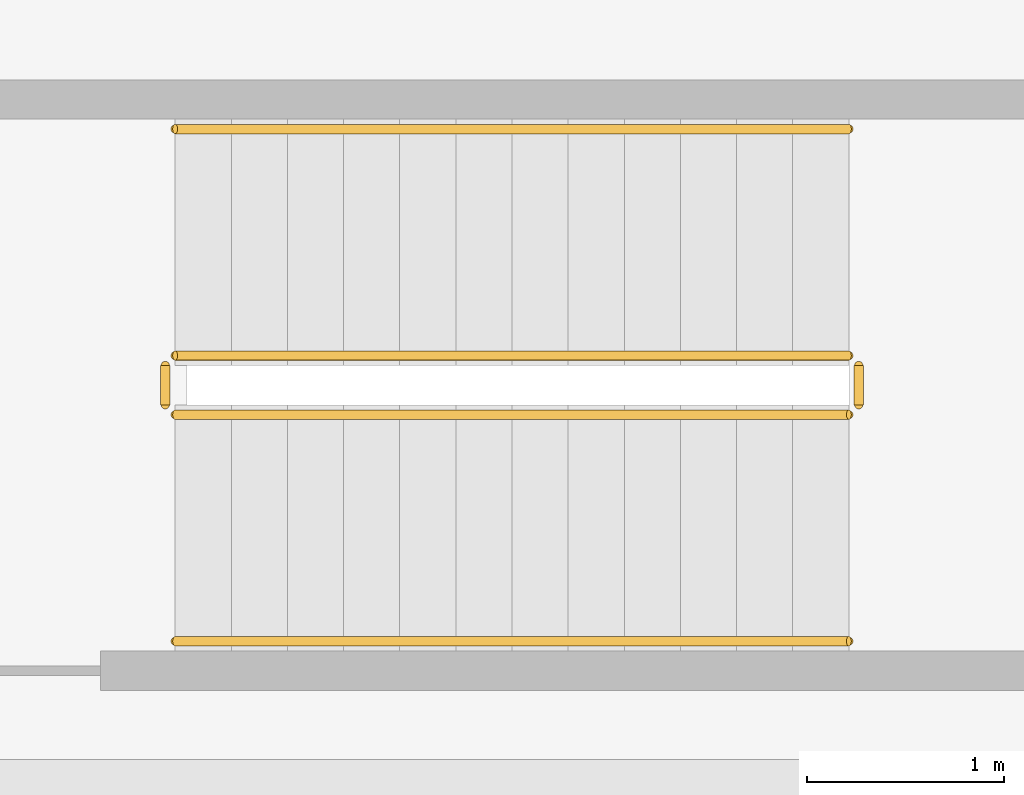
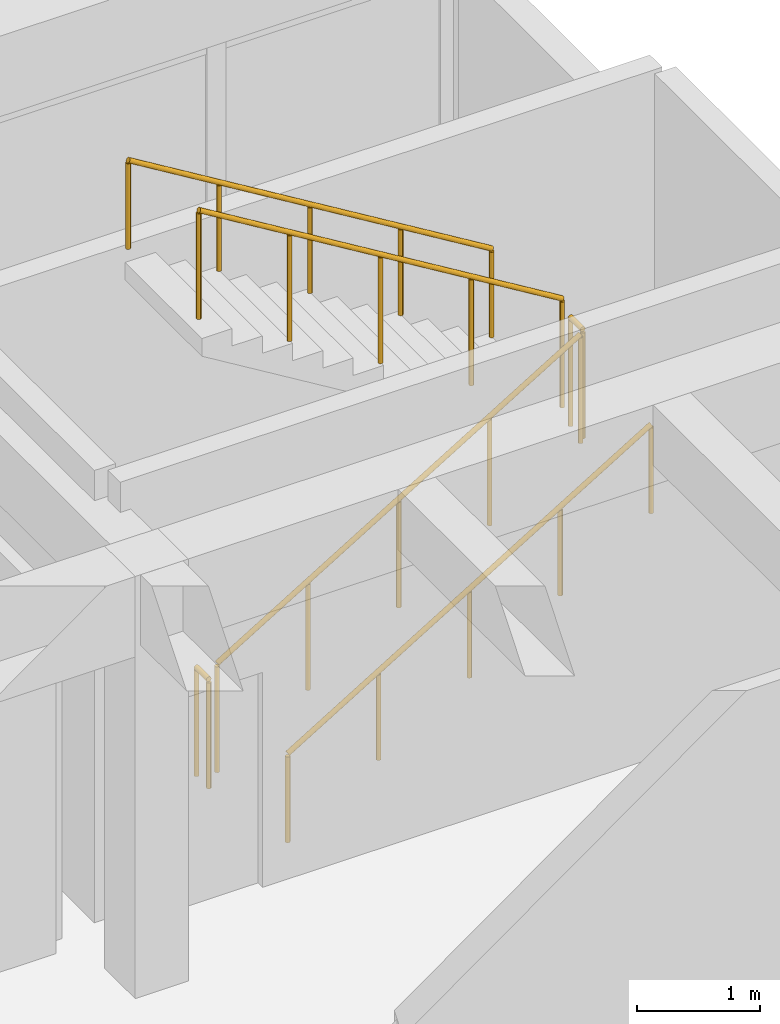
# One storey, part 153 of 153: 6 railings.
"""IFC4 building model written with IfcOpenShell, lengths in metres."""

from ifc_helpers import new_model, si_unit, direction, frame, origin, origin_2d, place, context, subcontext, project, spatial, circle, extrude, material, type_object, element, save


model = new_model("IFC4")

# Units and contexts
model_context = context("Model", 3, precision=1e-05, world=origin(), true_north=direction((0.0, 1.0)))
body_context = subcontext(model_context, "Body", "Model", "MODEL_VIEW")
ifc_project = project(units=[si_unit("LENGTHUNIT", "METRE"), si_unit("AREAUNIT", "SQUARE_METRE"), si_unit("VOLUMEUNIT", "CUBIC_METRE"), si_unit("PLANEANGLEUNIT", "RADIAN"), si_unit("MASSUNIT", "GRAM", prefix="KILO")], contexts=[model_context])

# Site, building, storey
site_placement = place(None, origin())
site = spatial("IfcSite", under=ifc_project, at=site_placement, CompositionType="ELEMENT")
building_placement = place(site_placement, origin())
building = spatial("IfcBuilding", under=site, at=building_placement, Name="Bramvelor Terrace Health Centre", CompositionType="ELEMENT")
storey_placement = place(building_placement, frame((0.0, 0.0, 4.800048828125)))
storey = spatial("IfcBuildingStorey", under=building, at=storey_placement, Name="L02", CompositionType="ELEMENT", Elevation=4.800048828125)

# Railings
ifc_material_1 = material(Name="Painted galvanized steel", Category="steel")
railing_type_1 = type_object("IfcRailingType", Name="RLG-GD-1100", PredefinedType="GUARDRAIL", material=ifc_material_1)
railing_1_placement = place(storey_placement, frame((160.219970703125, 59.60009765625, 0.173095703125)))
element("IfcRailing", 1, at=railing_1_placement, inside=storey, type_object=railing_type_1, Name="L02 ST-7 stair guard 1", PredefinedType="GUARDRAIL", context=body_context, shape_type="SweptSolid", body=[
    extrude(circle(Radius=0.02392578125, at=origin_2d()), frame((0.0, 0.0, 1.076171875), z_axis=(0.854729506542, 0.0, 0.519073665916), x_axis=(0.0, 1.0, 0.0)), (0.0, 0.0, 1.0), 4.001220703125),
    extrude(circle(Radius=0.02099609375, at=origin_2d()), origin(), (0.0, 0.0, 1.0), 1.052001953125),
    extrude(circle(Radius=0.02099609375, at=origin_2d()), frame((0.85498046875, 0.0, 0.519287109375)), (0.0, 0.0, 1.0), 1.052001953125),
    extrude(circle(Radius=0.02099609375, at=origin_2d()), frame((1.7099609375, 0.0, 1.03857421875)), (0.0, 0.0, 1.0), 1.052001953125),
    extrude(circle(Radius=0.02099609375, at=origin_2d()), frame((2.56494140625, 0.0, 1.5576171875)), (0.0, 0.0, 1.0), 1.052001953125),
    extrude(circle(Radius=0.02099609375, at=origin_2d()), frame((3.419921875, 0.0, 2.076904296875)), (0.0, 0.0, 1.0), 1.052001953125),
])
railing_2_placement = place(storey_placement, frame((163.68994140625, 59.64990234375, 2.25)))
element("IfcRailing", 2, at=railing_2_placement, inside=storey, type_object=railing_type_1, Name="L02 ST-7 stair guard 2", PredefinedType="GUARDRAIL", context=body_context, shape_type="SweptSolid", body=[
    extrude(circle(Radius=0.02392578125, at=origin_2d()), frame((0.0, 0.0, 1.076171875), z_axis=(0.0, 1.0, 0.0), x_axis=(-1.0, 0.0, 0.0)), (0.0, 0.0, 1.0), 0.2001953125),
    extrude(circle(Radius=0.02099609375, at=origin_2d()), origin(), (0.0, 0.0, 1.0), 1.052001953125),
    extrude(circle(Radius=0.02099609375, at=origin_2d()), frame((0.0, 0.2001953125, 0.0)), (0.0, 0.0, 1.0), 1.052001953125),
])
railing_3_placement = place(storey_placement, frame((163.639892578125, 59.89990234375, 2.423095703125)))
element("IfcRailing", 3, at=railing_3_placement, inside=storey, type_object=railing_type_1, Name="L02 ST-7 stair guard 3", PredefinedType="GUARDRAIL", context=body_context, shape_type="SweptSolid", body=[
    extrude(circle(Radius=0.02392578125, at=origin_2d()), frame((0.0, 0.0, 1.076171875), z_axis=(-0.854729506542, 0.0, 0.519073665916), x_axis=(0.0, -1.0, 0.0)), (0.0, 0.0, 1.0), 4.001220703125),
    extrude(circle(Radius=0.02099609375, at=origin_2d()), origin(), (0.0, 0.0, 1.0), 1.052001953125),
    extrude(circle(Radius=0.02099609375, at=origin_2d()), frame((-0.85498046875, 0.0, 0.519287109375)), (0.0, 0.0, 1.0), 1.052001953125),
    extrude(circle(Radius=0.02099609375, at=origin_2d()), frame((-1.7099609375, 0.0, 1.03857421875)), (0.0, 0.0, 1.0), 1.052001953125),
    extrude(circle(Radius=0.02099609375, at=origin_2d()), frame((-2.56494140625, 0.0, 1.5576171875)), (0.0, 0.0, 1.0), 1.052001953125),
    extrude(circle(Radius=0.02099609375, at=origin_2d()), frame((-3.419921875, 0.0, 2.076904296875)), (0.0, 0.0, 1.0), 1.052001953125),
])
railing_4_placement = place(storey_placement, frame((160.169921875, 59.64990234375, 0.0)))
element("IfcRailing", 4, at=railing_4_placement, inside=storey, type_object=railing_type_1, Name="L02 ST-7 stair guard 4", PredefinedType="GUARDRAIL", context=body_context, shape_type="SweptSolid", body=[
    extrude(circle(Radius=0.02392578125, at=origin_2d()), frame((0.0, 0.0, 1.076171875), z_axis=(0.0, 1.0, 0.0), x_axis=(-1.0, 0.0, 0.0)), (0.0, 0.0, 1.0), 0.2001953125),
    extrude(circle(Radius=0.02099609375, at=origin_2d()), origin(), (0.0, 0.0, 1.0), 1.052001953125),
    extrude(circle(Radius=0.02099609375, at=origin_2d()), frame((0.0, 0.2001953125, 0.0)), (0.0, 0.0, 1.0), 1.052001953125),
])
ifc_material_2 = material(Name="Brushed stainless steel 316", Category="steel")
railing_type_2 = type_object("IfcRailingType", Name="RLG-HR-900", PredefinedType="HANDRAIL", material=ifc_material_2)
railing_5_placement = place(storey_placement, frame((160.219970703125, 58.449951171875, 0.173095703125)))
element("IfcRailing", 5, at=railing_5_placement, inside=storey, type_object=railing_type_2, Name="L02 ST-7 stair handrail 1", PredefinedType="HANDRAIL", context=body_context, shape_type="SweptSolid", body=[
    extrude(circle(Radius=0.02392578125, at=origin_2d()), frame((0.0, 0.0, 0.8759765625), z_axis=(0.854729506542, 0.0, 0.519073665916), x_axis=(0.0, 1.0, 0.0)), (0.0, 0.0, 1.0), 4.001220703125),
    extrude(circle(Radius=0.02099609375, at=origin_2d()), origin(), (0.0, 0.0, 1.0), 0.851806640625),
    extrude(circle(Radius=0.02099609375, at=origin_2d()), frame((0.85498046875, 0.0, 0.519287109375)), (0.0, 0.0, 1.0), 0.851806640625),
    extrude(circle(Radius=0.02099609375, at=origin_2d()), frame((1.7099609375, 0.0, 1.03857421875)), (0.0, 0.0, 1.0), 0.851806640625),
    extrude(circle(Radius=0.02099609375, at=origin_2d()), frame((2.56494140625, 0.0, 1.5576171875)), (0.0, 0.0, 1.0), 0.851806640625),
    extrude(circle(Radius=0.02099609375, at=origin_2d()), frame((3.419921875, 0.0, 2.076904296875)), (0.0, 0.0, 1.0), 0.851806640625),
])
railing_6_placement = place(storey_placement, frame((163.639892578125, 61.050048828125, 2.423095703125)))
element("IfcRailing", 6, at=railing_6_placement, inside=storey, type_object=railing_type_2, Name="L02 ST-7 stair handrail 2", PredefinedType="HANDRAIL", context=body_context, shape_type="SweptSolid", body=[
    extrude(circle(Radius=0.02392578125, at=origin_2d()), frame((0.0, 0.0, 0.8759765625), z_axis=(-0.854729506542, 0.0, 0.519073665916), x_axis=(0.0, -1.0, 0.0)), (0.0, 0.0, 1.0), 4.001220703125),
    extrude(circle(Radius=0.02099609375, at=origin_2d()), origin(), (0.0, 0.0, 1.0), 0.851806640625),
    extrude(circle(Radius=0.02099609375, at=origin_2d()), frame((-0.85498046875, 0.0, 0.519287109375)), (0.0, 0.0, 1.0), 0.851806640625),
    extrude(circle(Radius=0.02099609375, at=origin_2d()), frame((-1.7099609375, 0.0, 1.03857421875)), (0.0, 0.0, 1.0), 0.851806640625),
    extrude(circle(Radius=0.02099609375, at=origin_2d()), frame((-2.56494140625, 0.0, 1.5576171875)), (0.0, 0.0, 1.0), 0.851806640625),
    extrude(circle(Radius=0.02099609375, at=origin_2d()), frame((-3.419921875, 0.0, 2.076904296875)), (0.0, 0.0, 1.0), 0.851806640625),
])

save(model, "model.ifc")
